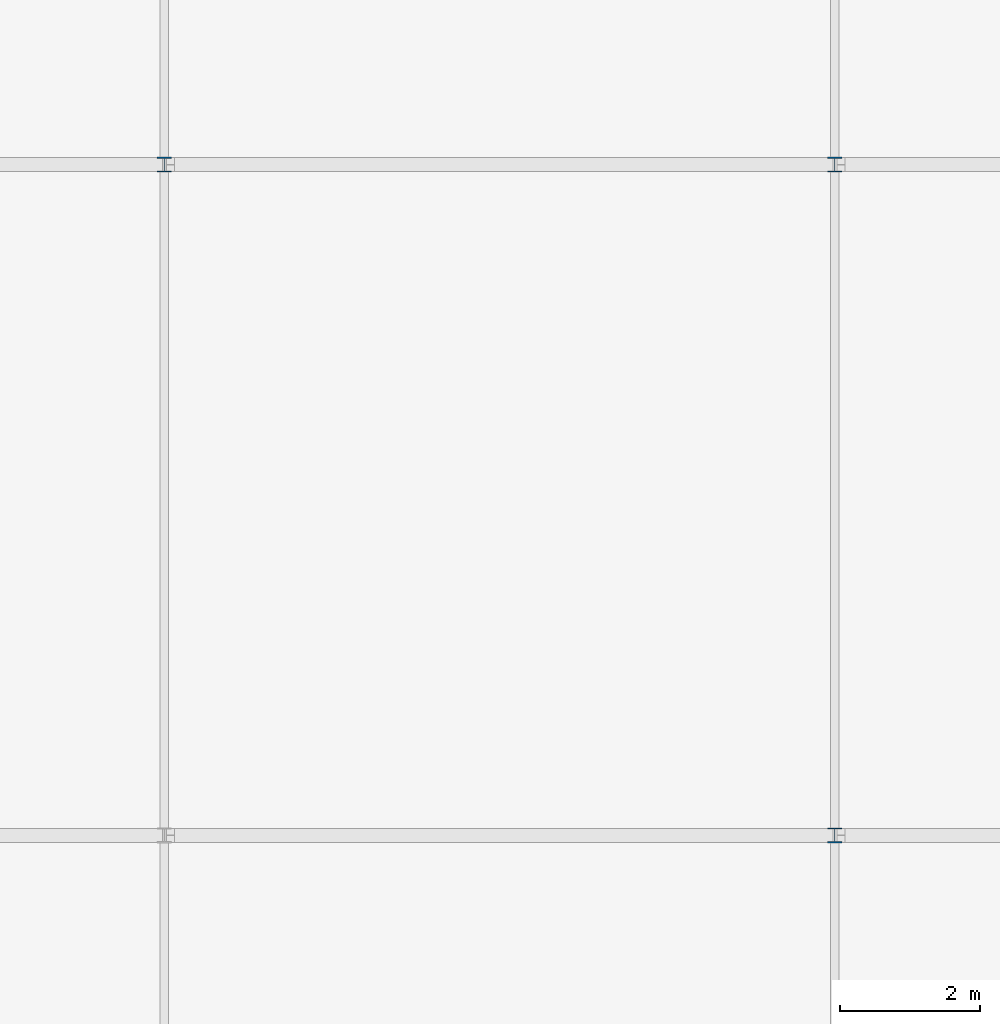
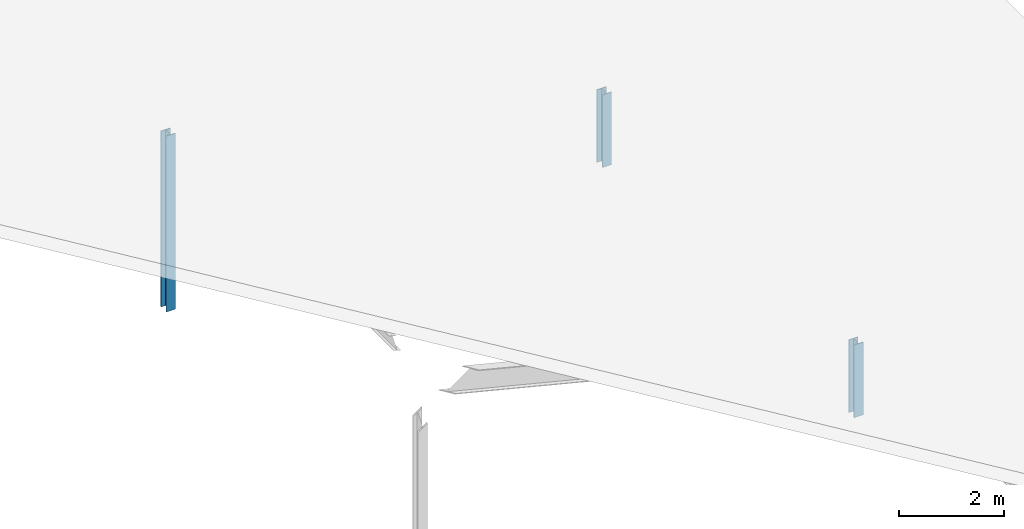
# One storey, part 15 of 93: 3 columns.
"""IFC4 building model written with IfcOpenShell, lengths in metres."""

from ifc_helpers import new_model, si_unit, direction, frame, origin, origin_2d, place, context, subcontext, project, spatial, i_section, extrude, material, material_profile, profile_set, type_object, element, save


model = new_model("IFC4")

# Units and contexts
model_context = context("Model", 3, precision=1e-05, world=origin(), true_north=direction((0.0, 1.0)))
body_context = subcontext(model_context, "Body", "Model", "MODEL_VIEW")
ifc_project = project(units=[si_unit("LENGTHUNIT", "METRE"), si_unit("AREAUNIT", "SQUARE_METRE"), si_unit("VOLUMEUNIT", "CUBIC_METRE"), si_unit("PLANEANGLEUNIT", "RADIAN"), si_unit("MASSUNIT", "GRAM", prefix="KILO")], contexts=[model_context])

# Site, building, storey
site_placement = place(None, origin())
site = spatial("IfcSite", under=ifc_project, at=site_placement, CompositionType="ELEMENT")
building_placement = place(site_placement, origin())
building = spatial("IfcBuilding", under=site, at=building_placement, Name="Dunescarp Central Library", CompositionType="ELEMENT")
storey_placement = place(building_placement, frame((0.0, 0.0, 14.10009765625)))
storey = spatial("IfcBuildingStorey", under=building, at=storey_placement, Name="L03", CompositionType="ELEMENT", Elevation=14.10009765625)

# Columns
ifc_material = material(Name="Steel S355JR", Category="steel")
ifc_material_profile = material_profile(ifc_material, i_section(OverallWidth=0.206298828125, OverallDepth=0.2158203125, WebThickness=0.010009765625, FlangeThickness=0.017333984375, at=origin_2d()), Name="UC 203x203x71")
ifc_profile_set = profile_set([ifc_material_profile], Name="Steel S355JR")
column_type = type_object("IfcColumnType", Name="STR-COL-UC203X71", PredefinedType="COLUMN", material=ifc_profile_set)
column_placement = place(storey_placement, frame((148.800048828125, 30.39990234375, 0.0), z_axis=(0.0, 0.0, 1.0), x_axis=(1.0, 0.0, 0.0)))
element("IfcColumn", 1, at=column_placement, inside=storey, type_object=column_type, Name="L03 column V5-1488-304", PredefinedType="COLUMN", context=body_context, shape_type="SweptSolid", body=[
    extrude(i_section(OverallWidth=0.206298828125, OverallDepth=0.2158203125, WebThickness=0.010009765625, FlangeThickness=0.017333984375, at=origin_2d()), origin(), (0.0, 0.0, 1.0), 4.093017578125),
])
for number, where, z_axis, x_axis, name in (
    (2, (158.39990234375, 20.800048828125, 0.0), (0.0, 0.0, 1.0), (1.0, 0.0, 0.0), "L03 column V5-1584-208"),
    (3, (158.39990234375, 30.39990234375, 0.0), (0.0, 0.0, 1.0), (1.0, 0.0, 0.0), "L03 column V5-1584-304"),
):
    element("IfcColumn", number, at=place(storey_placement, frame(where, z_axis=z_axis, x_axis=x_axis)), inside=storey, type_object=column_type, Name=name, PredefinedType="COLUMN", context=body_context, shape_type="SweptSolid", body=[
        extrude(i_section(OverallWidth=0.206298828125, OverallDepth=0.2158203125, WebThickness=0.010009765625, FlangeThickness=0.017333984375, at=origin_2d()), origin(), (0.0, 0.0, 1.0), 1.69287109375),
    ])

save(model, "model.ifc")
